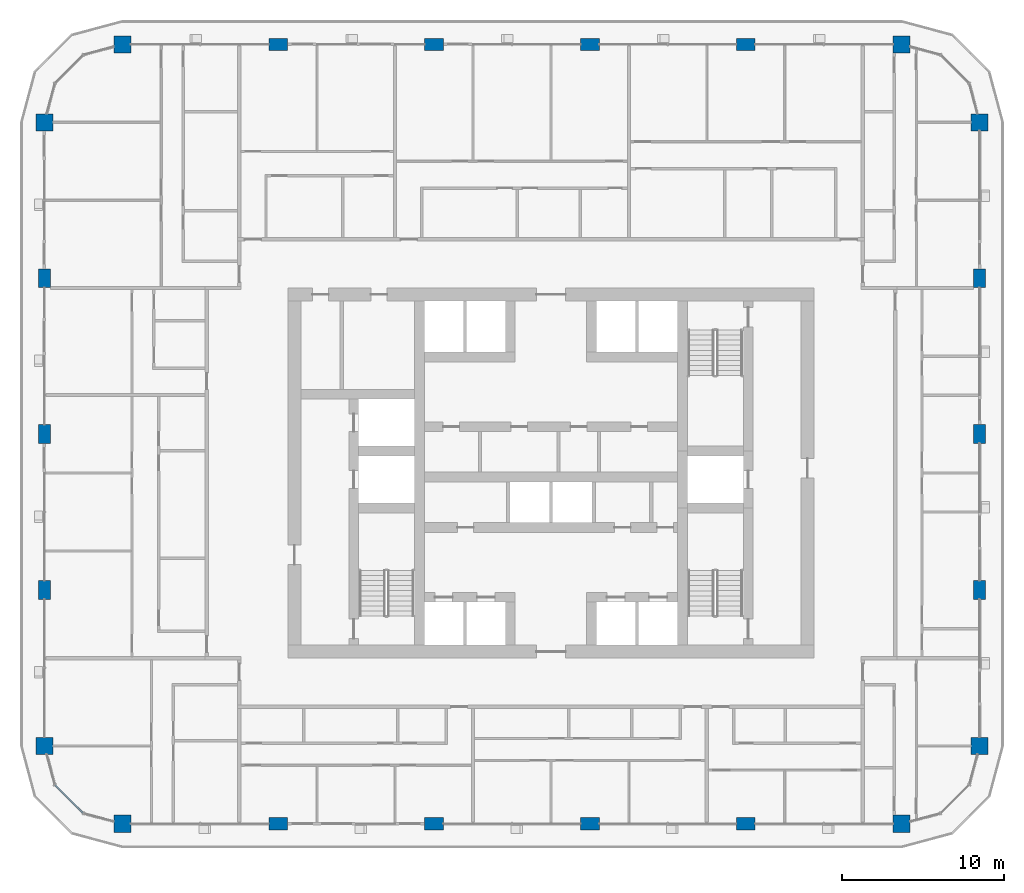
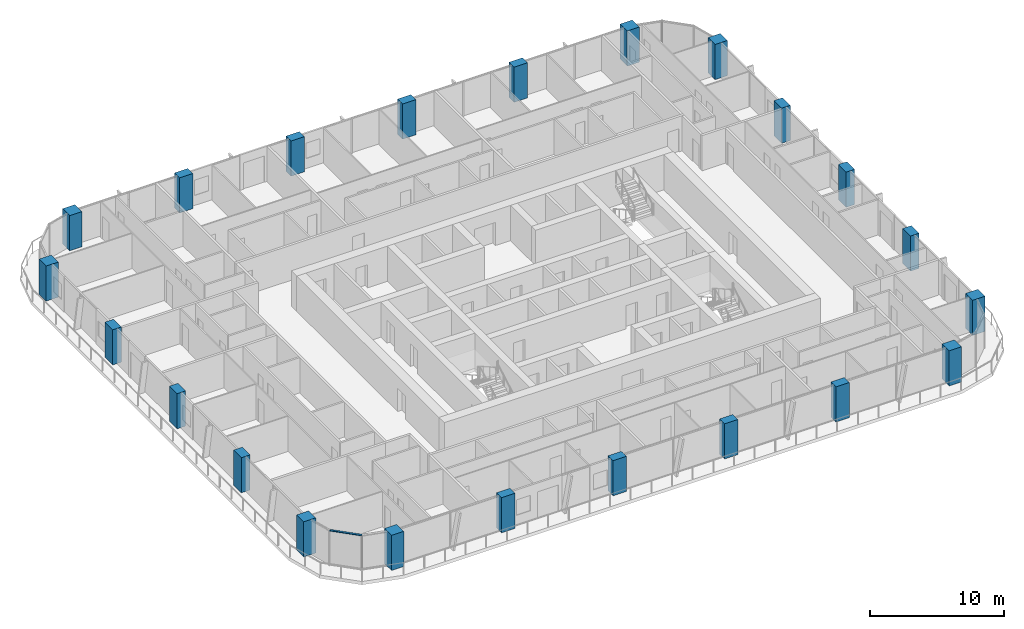
# One storey, part 1 of 22: 22 columns, 1 member, 1 element without a shape of its own.
"""IFC4 building model written with IfcOpenShell, lengths in metres."""

from ifc_helpers import new_model, si_unit, direction, frame, origin, origin_2d, place, context, subcontext, project, spatial, rectangle, extrude, material, layer, layer_set, material_profile, profile_set, type_object, element, aggregate, save


model = new_model("IFC4")

# Units and contexts
model_context = context("Model", 3, precision=1e-05, world=origin(), true_north=direction((0.0, 1.0)))
body_context = subcontext(model_context, "Body", "Model", "MODEL_VIEW")
ifc_project = project(units=[si_unit("LENGTHUNIT", "METRE"), si_unit("AREAUNIT", "SQUARE_METRE"), si_unit("VOLUMEUNIT", "CUBIC_METRE"), si_unit("PLANEANGLEUNIT", "RADIAN"), si_unit("MASSUNIT", "GRAM", prefix="KILO")], contexts=[model_context])

# Site, building, storey
site_placement = place(None, origin())
site = spatial("IfcSite", under=ifc_project, at=site_placement, CompositionType="ELEMENT")
building_placement = place(site_placement, origin())
building = spatial("IfcBuilding", under=site, at=building_placement, Name="Madar Terraces", CompositionType="ELEMENT")
storey_placement = place(building_placement, frame((0.0, 0.0, 136.60009765625)))
storey = spatial("IfcBuildingStorey", under=building, at=storey_placement, Name="L35", CompositionType="ELEMENT", Elevation=136.60009765625)

# Columns
ifc_material_1 = material(Name="Concrete C70/85", Category="concrete")
ifc_material_profile_1 = material_profile(ifc_material_1, rectangle(XDim=1.14990234375, YDim=0.75, at=origin_2d()), Name="CC3 RC 1150x750")
ifc_profile_set_1 = profile_set([ifc_material_profile_1], Name="Concrete C70/85")
column_type_1 = type_object("IfcColumnType", Name="CC3 RC 1150x750", PredefinedType="COLUMN", material=ifc_profile_set_1)
for number, where, z_axis, x_axis, name in (
    (1, (14.39990234375, 4.800048828125, 0.0), (0.0, 0.0, 1.0), (1.0, 0.0, 0.0), "Perimeter column S2"),
    (2, (24.0, 4.800048828125, 0.0), (0.0, 0.0, 1.0), (1.0, 0.0, 0.0), "Perimeter column S3"),
    (3, (33.60009765625, 4.800048828125, 0.0), (0.0, 0.0, 1.0), (1.0, 0.0, 0.0), "Perimeter column S4"),
    (4, (43.199951171875, 4.800048828125, 0.0), (0.0, 0.0, 1.0), (1.0, 0.0, 0.0), "Perimeter column S5"),
    (5, (57.60009765625, 19.199951171875, 0.0), (0.0, 0.0, 1.0), (0.0, 1.0, 0.0), "Perimeter column E2"),
    (6, (57.60009765625, 28.800048828125, 0.0), (0.0, 0.0, 1.0), (0.0, 1.0, 0.0), "Perimeter column E3"),
    (7, (57.60009765625, 38.39990234375, 0.0), (0.0, 0.0, 1.0), (0.0, 1.0, 0.0), "Perimeter column E4"),
    (8, (43.199951171875, 52.800048828125, 0.0), (0.0, 0.0, 1.0), (1.0, 0.0, 0.0), "Perimeter column N2"),
    (9, (33.60009765625, 52.800048828125, 0.0), (0.0, 0.0, 1.0), (1.0, 0.0, 0.0), "Perimeter column N3"),
    (10, (24.0, 52.800048828125, 0.0), (0.0, 0.0, 1.0), (1.0, 0.0, 0.0), "Perimeter column N4"),
    (11, (14.39990234375, 52.800048828125, 0.0), (0.0, 0.0, 1.0), (1.0, 0.0, 0.0), "Perimeter column N5"),
    (12, (0.0, 38.39990234375, 0.0), (0.0, 0.0, 1.0), (0.0, 1.0, 0.0), "Perimeter column W2"),
    (13, (0.0, 28.800048828125, 0.0), (0.0, 0.0, 1.0), (0.0, 1.0, 0.0), "Perimeter column W3"),
    (14, (0.0, 19.199951171875, 0.0), (0.0, 0.0, 1.0), (0.0, 1.0, 0.0), "Perimeter column W4"),
):
    element("IfcColumn", number, at=place(storey_placement, frame(where, z_axis=z_axis, x_axis=x_axis)), inside=storey, type_object=column_type_1, Name=name, PredefinedType="COLUMN", context=body_context, shape_type="SweptSolid", body=[
        extrude(rectangle(XDim=1.14990234375, YDim=0.75, at=origin_2d()), origin(), (0.0, 0.0, 1.0), 3.199951171875),
    ])
ifc_material_2 = material(Name="Concrete C70/85", Category="concrete")
ifc_material_profile_2 = material_profile(ifc_material_2, rectangle(XDim=1.050048828125, YDim=1.050048828125, at=origin_2d()), Name="KC3 RC 1050x1050")
ifc_profile_set_2 = profile_set([ifc_material_profile_2], Name="Concrete C70/85")
column_type_2 = type_object("IfcColumnType", Name="KC3 RC 1050x1050", PredefinedType="COLUMN", material=ifc_profile_set_2)
for number, where, z_axis, x_axis, name in (
    (15, (4.800048828125, 4.800048828125, 0.0), (0.0, 0.0, 1.0), (1.0, 0.0, 0.0), "Perimeter column S1"),
    (16, (52.800048828125, 4.800048828125, 0.0), (0.0, 0.0, 1.0), (1.0, 0.0, 0.0), "Perimeter column S6"),
    (17, (57.60009765625, 9.60009765625, 0.0), (0.0, 0.0, 1.0), (1.0, 0.0, 0.0), "Perimeter column E1"),
    (18, (57.60009765625, 48.0, 0.0), (0.0, 0.0, 1.0), (1.0, 0.0, 0.0), "Perimeter column E5"),
    (19, (52.800048828125, 52.800048828125, 0.0), (0.0, 0.0, 1.0), (1.0, 0.0, 0.0), "Perimeter column N1"),
    (20, (4.800048828125, 52.800048828125, 0.0), (0.0, 0.0, 1.0), (1.0, 0.0, 0.0), "Perimeter column N6"),
    (21, (0.0, 48.0, 0.0), (0.0, 0.0, 1.0), (1.0, 0.0, 0.0), "Perimeter column W1"),
    (22, (0.0, 9.60009765625, 0.0), (0.0, 0.0, 1.0), (1.0, 0.0, 0.0), "Perimeter column W5"),
):
    element("IfcColumn", number, at=place(storey_placement, frame(where, z_axis=z_axis, x_axis=x_axis)), inside=storey, type_object=column_type_2, Name=name, PredefinedType="COLUMN", context=body_context, shape_type="SweptSolid", body=[
        extrude(rectangle(XDim=1.050048828125, YDim=1.050048828125, at=origin_2d()), origin(), (0.0, 0.0, 1.0), 3.199951171875),
    ])

# Curtain wall, member
ifc_material_3 = material(Name="Glass, ceramic frit dark grey, with black aluminium frame", Category="aluminium")
ifc_layer = layer(ifc_material_3, 0.199951171875)
ifc_layer_set = layer_set([ifc_layer], Name="Facade curtain wall, fritted glass")
curtain_wall_type = type_object("IfcCurtainWallType", Name="Facade curtain wall, fritted glass", PredefinedType="NOTDEFINED", material=ifc_layer_set)
curtain_wall_placement = place(storey_placement, origin())
curtain_wall = element("IfcCurtainWall", 23, at=curtain_wall_placement, inside=storey, type_object=curtain_wall_type, Name="Outer skin curtain wall south-west corner", PredefinedType="NOTDEFINED")
ifc_material_4 = material(Name="Aluminium, black anodised", Category="aluminium")
ifc_material_profile_3 = material_profile(ifc_material_4, rectangle(XDim=0.1201171875, YDim=0.06005859375, at=origin_2d()), Name="Facade transom 60x120")
ifc_profile_set_3 = profile_set([ifc_material_profile_3], Name="Aluminium, black anodised")
member_type = type_object("IfcMemberType", Name="Facade transom 60x120", PredefinedType="USERDEFINED", material=ifc_profile_set_3)
member_placement = place(storey_placement, frame((0.664306640625, 7.1787109375, 3.169921875), z_axis=(0.707157125196, -0.707056433593, 0.0), x_axis=(0.707056433593, 0.707157125196, 0.0)))
member = element("IfcMember", 24, at=member_placement, type_object=member_type, Name="Transom 2", ObjectType="TRANSOM", PredefinedType="USERDEFINED", context=body_context, shape_type="SweptSolid", body=[
    extrude(rectangle(XDim=0.1201171875, YDim=0.06005859375, at=origin_2d()), origin(), (0.0, 0.0, 1.0), 2.424560546875),
])
aggregate(curtain_wall, [member])

save(model, "model.ifc")
